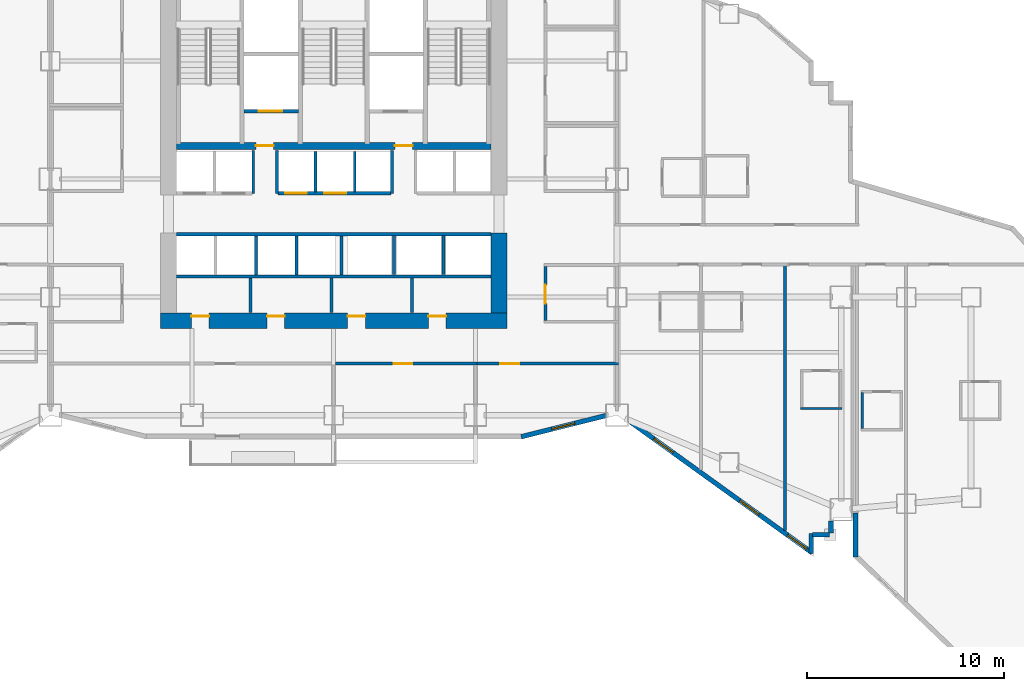
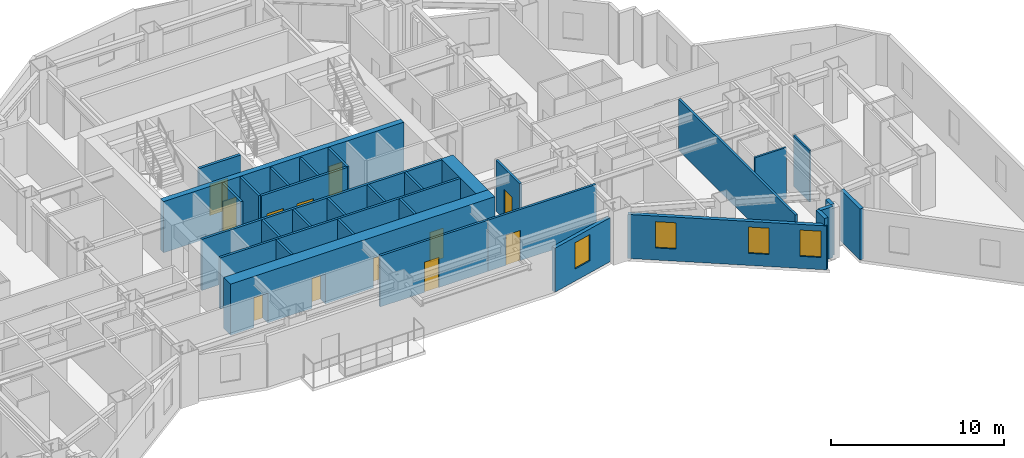
# One storey, part 8 of 17: 32 walls, 12 doors, 4 windows, 16 openings.
"""IFC4 building model written with IfcOpenShell, lengths in metres."""

from ifc_helpers import new_model, si_unit, direction, frame, frame_2d, origin, place, context, subcontext, project, spatial, rectangle, extrude, material, layer, layer_set, type_object, element, fill, save


model = new_model("IFC4")

# Units and contexts
model_context = context("Model", 3, precision=1e-05, world=origin(), true_north=direction((0.0, 1.0)))
body_context = subcontext(model_context, "Body", "Model", "MODEL_VIEW")
ifc_project = project(units=[si_unit("LENGTHUNIT", "METRE"), si_unit("AREAUNIT", "SQUARE_METRE"), si_unit("VOLUMEUNIT", "CUBIC_METRE"), si_unit("PLANEANGLEUNIT", "RADIAN"), si_unit("MASSUNIT", "GRAM", prefix="KILO")], contexts=[model_context])

# Site, building, storey
site_placement = place(None, origin())
site = spatial("IfcSite", under=ifc_project, at=site_placement, CompositionType="ELEMENT")
building_placement = place(site_placement, origin())
building = spatial("IfcBuilding", under=site, at=building_placement, Name="Haolan Belvedere Tower", CompositionType="ELEMENT")
storey_placement = place(building_placement, frame((0.0, 0.0, 55.199951171875)))
storey = spatial("IfcBuildingStorey", under=building, at=storey_placement, Name="L13", CompositionType="ELEMENT", Elevation=55.199951171875)

# Wall, openings, doors
ifc_material_1 = material(Name="Concrete C70/85", Category="concrete")
ifc_layer_1 = layer(ifc_material_1, 0.800048828125, Name="Concrete C70/85")
ifc_layer_set_1 = layer_set([ifc_layer_1], Name="Concrete C70/85")
wall_type_1 = type_object("IfcWallType", Name="WL-CORE-800", PredefinedType="SHEAR", material=ifc_layer_set_1)
wall_1_placement = place(storey_placement, frame((29.60009765625, 26.39990234375, 0.0), z_axis=(0.0, 0.0, 1.0), x_axis=(1.0, 0.0, 0.0)))
wall_1 = element("IfcWall", 1, at=wall_1_placement, inside=storey, type_object=wall_type_1, Name="L13 central core south shear wall", PredefinedType="SHEAR", context=body_context, shape_type="SweptSolid", body=[
    extrude(rectangle(XDim=17.599853515625, YDim=0.800048828125, at=frame_2d((8.7998046875, 0.0))), origin(), (0.0, 0.0, 1.0), 3.60009765625),
])
opening_1_placement = place(wall_1_placement, frame((2.469970703125, 0.0, 0.0), z_axis=(0.0, 0.0, 1.0), x_axis=(-1.0, 0.0, 0.0)))
opening_1 = element("IfcOpeningElement", 2, at=opening_1_placement, cuts=wall_1, Name="Opening FD-05", PredefinedType="OPENING", context=body_context, shape_type="SweptSolid", body=[
    extrude(rectangle(XDim=0.89990234375, YDim=2.10009765625, at=frame_2d((0.449951171875, 1.050048828125))), frame((0.0, 0.409912109375, 0.0), z_axis=(0.0, -1.0, 0.0), x_axis=(1.0, 0.0, 0.0)), (0.0, 0.0, 1.0), 0.820068359375),
])
opening_2_placement = place(wall_1_placement, frame((6.309814453125, 0.0, 0.0), z_axis=(0.0, 0.0, 1.0), x_axis=(-1.0, 0.0, 0.0)))
opening_2 = element("IfcOpeningElement", 3, at=opening_2_placement, cuts=wall_1, Name="Opening FD-05", PredefinedType="OPENING", context=body_context, shape_type="SweptSolid", body=[
    extrude(rectangle(XDim=0.89990234375, YDim=2.10009765625, at=frame_2d((0.449951171875, 1.050048828125))), frame((0.0, 0.409912109375, 0.0), z_axis=(0.0, -1.0, 0.0), x_axis=(1.0, 0.0, 0.0)), (0.0, 0.0, 1.0), 0.820068359375),
])
opening_3_placement = place(wall_1_placement, frame((10.409912109375, 0.0, 0.0), z_axis=(0.0, 0.0, 1.0), x_axis=(-1.0, 0.0, 0.0)))
opening_3 = element("IfcOpeningElement", 4, at=opening_3_placement, cuts=wall_1, Name="Opening FD-05", PredefinedType="OPENING", context=body_context, shape_type="SweptSolid", body=[
    extrude(rectangle(XDim=0.89990234375, YDim=2.10009765625, at=frame_2d((0.449951171875, 1.050048828125))), frame((0.0, 0.409912109375, 0.0), z_axis=(0.0, -1.0, 0.0), x_axis=(1.0, 0.0, 0.0)), (0.0, 0.0, 1.0), 0.820068359375),
])
opening_4_placement = place(wall_1_placement, frame((14.510009765625, 0.0, 0.0), z_axis=(0.0, 0.0, 1.0), x_axis=(-1.0, 0.0, 0.0)))
opening_4 = element("IfcOpeningElement", 5, at=opening_4_placement, cuts=wall_1, Name="Opening FD-05", PredefinedType="OPENING", context=body_context, shape_type="SweptSolid", body=[
    extrude(rectangle(XDim=0.89990234375, YDim=2.10009765625, at=frame_2d((0.449951171875, 1.050048828125))), frame((0.0, 0.409912109375, 0.0), z_axis=(0.0, -1.0, 0.0), x_axis=(1.0, 0.0, 0.0)), (0.0, 0.0, 1.0), 0.820068359375),
])
ifc_material_2 = material(Name="Galvanised fire-rated steel", Category="steel")
door_type_1 = type_object("IfcDoorType", Name="DR-FD60-900", OperationType="NOTDEFINED", PredefinedType="DOOR", material=ifc_material_2)
door_1_placement = place(opening_1_placement, origin())
door_1 = element("IfcDoor", 6, at=door_1_placement, inside=storey, type_object=door_type_1, Name="L13 door CD-L13-SCV-1", OperationType="SINGLE_SWING_LEFT", OverallHeight=2.10009765625, OverallWidth=0.89990234375, PredefinedType="DOOR", context=body_context, shape_type="SweptSolid", body=[
    extrude(rectangle(XDim=0.89990234375, YDim=2.10009765625, at=frame_2d((0.449951171875, 1.050048828125))), frame((0.0, -0.19482421875, 0.0), z_axis=(0.0, -1.0, 0.0), x_axis=(1.0, 0.0, 0.0)), (0.0, 0.0, 1.0), 0.050048828125),
])
fill(opening_1, door_1)
door_2_placement = place(opening_2_placement, origin())
door_2 = element("IfcDoor", 7, at=door_2_placement, inside=storey, type_object=door_type_1, Name="L13 door CD-L13-SCV-2", OperationType="SINGLE_SWING_RIGHT", OverallHeight=2.10009765625, OverallWidth=0.89990234375, PredefinedType="DOOR", context=body_context, shape_type="SweptSolid", body=[
    extrude(rectangle(XDim=0.89990234375, YDim=2.10009765625, at=frame_2d((0.449951171875, 1.050048828125))), frame((0.0, -0.19482421875, 0.0), z_axis=(0.0, -1.0, 0.0), x_axis=(1.0, 0.0, 0.0)), (0.0, 0.0, 1.0), 0.050048828125),
])
fill(opening_2, door_2)
door_3_placement = place(opening_3_placement, origin())
door_3 = element("IfcDoor", 8, at=door_3_placement, inside=storey, type_object=door_type_1, Name="L13 door CD-L13-SCV-3", OperationType="SINGLE_SWING_LEFT", OverallHeight=2.10009765625, OverallWidth=0.89990234375, PredefinedType="DOOR", context=body_context, shape_type="SweptSolid", body=[
    extrude(rectangle(XDim=0.89990234375, YDim=2.10009765625, at=frame_2d((0.449951171875, 1.050048828125))), frame((0.0, -0.19482421875, 0.0), z_axis=(0.0, -1.0, 0.0), x_axis=(1.0, 0.0, 0.0)), (0.0, 0.0, 1.0), 0.050048828125),
])
fill(opening_3, door_3)
door_4_placement = place(opening_4_placement, origin())
door_4 = element("IfcDoor", 9, at=door_4_placement, inside=storey, type_object=door_type_1, Name="L13 door CD-L13-SCV-4", OperationType="SINGLE_SWING_RIGHT", OverallHeight=2.10009765625, OverallWidth=0.89990234375, PredefinedType="DOOR", context=body_context, shape_type="SweptSolid", body=[
    extrude(rectangle(XDim=0.89990234375, YDim=2.10009765625, at=frame_2d((0.449951171875, 1.050048828125))), frame((0.0, -0.19482421875, 0.0), z_axis=(0.0, -1.0, 0.0), x_axis=(1.0, 0.0, 0.0)), (0.0, 0.0, 1.0), 0.050048828125),
])
fill(opening_4, door_4)

# Wall
wall_2_placement = place(storey_placement, frame((46.800048828125, 26.800048828125, 0.0), z_axis=(0.0, 0.0, 1.0), x_axis=(0.0, 1.0, 0.0)))
element("IfcWall", 10, at=wall_2_placement, inside=storey, type_object=wall_type_1, Name="L13 central core shear wall ES", PredefinedType="SHEAR", context=body_context, shape_type="SweptSolid", body=[
    extrude(rectangle(XDim=4.050048828125, YDim=0.800048828125, at=frame_2d((2.02490234375, 0.0))), origin(), (0.0, 0.0, 1.0), 3.60009765625),
])

# Wall, opening, window
ifc_material_3 = material(Name="Precast concrete C40/50", Category="concrete")
ifc_layer_2 = layer(ifc_material_3, 0.239990234375, Name="Precast concrete C40/50")
ifc_layer_set_2 = layer_set([ifc_layer_2], Name="Precast concrete C40/50")
wall_type_2 = type_object("IfcWallType", Name="WL-EXT-240", PredefinedType="SOLIDWALL", material=ifc_layer_set_2)
wall_3_placement = place(storey_placement, frame((47.931884765625, 20.506591796875, 0.0), z_axis=(0.0, 0.0, 1.0), x_axis=(0.970145739396, 0.242522667667, 0.0)))
wall_3 = element("IfcWall", 11, at=wall_3_placement, inside=storey, type_object=wall_type_2, Name="L13 pale-metal exterior spandrel wall 14.1", PredefinedType="SOLIDWALL", context=body_context, shape_type="SweptSolid", body=[
    extrude(rectangle(XDim=4.433349609375, YDim=0.239990234375, at=frame_2d((2.216796875, 0.0))), origin(), (0.0, 0.0, 1.0), 3.09716796875),
])
opening_5_placement = place(wall_3_placement, frame((1.60009765625, 0.0, 0.85009765625)))
opening_5 = element("IfcOpeningElement", 12, at=opening_5_placement, cuts=wall_3, Name="Opening W-01", PredefinedType="OPENING", context=body_context, shape_type="SweptSolid", body=[
    extrude(rectangle(XDim=1.199951171875, YDim=1.85009765625, at=frame_2d((0.60009765625, 0.925048828125))), frame((0.0, 0.1298828125, 0.0), z_axis=(0.0, -1.0, 0.0), x_axis=(1.0, 0.0, 0.0)), (0.0, 0.0, 1.0), 0.260009765625),
])
ifc_material_4 = material(Name="Anodised aluminium 6063-T6 and Low-E glass", Category="aluminium")
window_type = type_object("IfcWindowType", Name="WN-DECO-Z1", PartitioningType="SINGLE_PANEL", PredefinedType="WINDOW", material=ifc_material_4)
window_1_placement = place(opening_5_placement, origin())
window_1 = element("IfcWindow", 13, at=window_1_placement, inside=storey, type_object=window_type, Name="L13 Art Deco chevron window 1", OverallHeight=1.85009765625, OverallWidth=1.199951171875, PartitioningType="SINGLE_PANEL", PredefinedType="WINDOW", context=body_context, shape_type="SweptSolid", body=[
    extrude(rectangle(XDim=1.199951171875, YDim=1.85009765625, at=frame_2d((0.60009765625, 0.925048828125))), frame((0.0, 0.030029296875, 0.0), z_axis=(0.0, -1.0, 0.0), x_axis=(1.0, 0.0, 0.0)), (0.0, 0.0, 1.0), 0.06005859375),
])
fill(opening_5, window_1)

# Wall, openings, windows
wall_4_placement = place(storey_placement, frame((53.366943359375, 21.339599609375, 0.0), z_axis=(0.0, 0.0, 1.0), x_axis=(0.811543176492, -0.58429245476, 0.0)))
wall_4 = element("IfcWall", 14, at=wall_4_placement, inside=storey, type_object=wall_type_2, Name="L13 pale-metal exterior spandrel wall 15.1", PredefinedType="SOLIDWALL", context=body_context, shape_type="SweptSolid", body=[
    extrude(rectangle(XDim=11.53076171875, YDim=0.239990234375, at=frame_2d((5.765380859375, 0.0))), origin(), (0.0, 0.0, 1.0), 3.09716796875),
])
opening_6_placement = place(wall_4_placement, frame((1.60009765625, 0.0, 0.85009765625)))
opening_6 = element("IfcOpeningElement", 15, at=opening_6_placement, cuts=wall_4, Name="Opening W-01", PredefinedType="OPENING", context=body_context, shape_type="SweptSolid", body=[
    extrude(rectangle(XDim=1.199951171875, YDim=1.85009765625, at=frame_2d((0.60009765625, 0.925048828125))), frame((0.0, 0.1298828125, 0.0), z_axis=(0.0, -1.0, 0.0), x_axis=(1.0, 0.0, 0.0)), (0.0, 0.0, 1.0), 0.260009765625),
])
opening_7_placement = place(wall_4_placement, frame((7.0, 0.0, 0.85009765625)))
opening_7 = element("IfcOpeningElement", 16, at=opening_7_placement, cuts=wall_4, Name="Opening W-01", PredefinedType="OPENING", context=body_context, shape_type="SweptSolid", body=[
    extrude(rectangle(XDim=1.199951171875, YDim=1.85009765625, at=frame_2d((0.60009765625, 0.925048828125))), frame((0.0, 0.1298828125, 0.0), z_axis=(0.0, -1.0, 0.0), x_axis=(1.0, 0.0, 0.0)), (0.0, 0.0, 1.0), 0.260009765625),
])
opening_8_placement = place(wall_4_placement, frame((9.989990234375, 0.0, 0.85009765625)))
opening_8 = element("IfcOpeningElement", 17, at=opening_8_placement, cuts=wall_4, Name="Opening W-01", PredefinedType="OPENING", context=body_context, shape_type="SweptSolid", body=[
    extrude(rectangle(XDim=1.199951171875, YDim=1.85009765625, at=frame_2d((0.60009765625, 0.925048828125))), frame((0.0, 0.1298828125, 0.0), z_axis=(0.0, -1.0, 0.0), x_axis=(1.0, 0.0, 0.0)), (0.0, 0.0, 1.0), 0.260009765625),
])
window_2_placement = place(opening_6_placement, origin())
window_2 = element("IfcWindow", 18, at=window_2_placement, inside=storey, type_object=window_type, Name="L13 Art Deco chevron window 1", OverallHeight=1.85009765625, OverallWidth=1.199951171875, PartitioningType="SINGLE_PANEL", PredefinedType="WINDOW", context=body_context, shape_type="SweptSolid", body=[
    extrude(rectangle(XDim=1.199951171875, YDim=1.85009765625, at=frame_2d((0.60009765625, 0.925048828125))), frame((0.0, 0.030029296875, 0.0), z_axis=(0.0, -1.0, 0.0), x_axis=(1.0, 0.0, 0.0)), (0.0, 0.0, 1.0), 0.06005859375),
])
fill(opening_6, window_2)
window_3_placement = place(opening_7_placement, origin())
window_3 = element("IfcWindow", 19, at=window_3_placement, inside=storey, type_object=window_type, Name="L13 Art Deco chevron window 2", OverallHeight=1.85009765625, OverallWidth=1.199951171875, PartitioningType="SINGLE_PANEL", PredefinedType="WINDOW", context=body_context, shape_type="SweptSolid", body=[
    extrude(rectangle(XDim=1.199951171875, YDim=1.85009765625, at=frame_2d((0.60009765625, 0.925048828125))), frame((0.0, 0.030029296875, 0.0), z_axis=(0.0, -1.0, 0.0), x_axis=(1.0, 0.0, 0.0)), (0.0, 0.0, 1.0), 0.06005859375),
])
fill(opening_7, window_3)
window_4_placement = place(opening_8_placement, origin())
window_4 = element("IfcWindow", 20, at=window_4_placement, inside=storey, type_object=window_type, Name="L13 Art Deco guestroom window 2", OverallHeight=1.85009765625, OverallWidth=1.199951171875, PartitioningType="SINGLE_PANEL", PredefinedType="WINDOW", context=body_context, shape_type="SweptSolid", body=[
    extrude(rectangle(XDim=1.199951171875, YDim=1.85009765625, at=frame_2d((0.60009765625, 0.925048828125))), frame((0.0, 0.030029296875, 0.0), z_axis=(0.0, -1.0, 0.0), x_axis=(1.0, 0.0, 0.0)), (0.0, 0.0, 1.0), 0.06005859375),
])
fill(opening_8, window_4)

# Walls
wall_5_placement = place(storey_placement, frame((62.679931640625, 14.579345703125, 0.0), z_axis=(0.0, 0.0, 1.0), x_axis=(0.0, 1.0, 0.0)))
element("IfcWall", 21, at=wall_5_placement, inside=storey, type_object=wall_type_2, Name="L13 pale-metal exterior spandrel wall 16.1", PredefinedType="SOLIDWALL", context=body_context, shape_type="SweptSolid", body=[
    extrude(rectangle(XDim=0.99560546875, YDim=0.239990234375, at=frame_2d((0.497802734375, 0.0))), origin(), (0.0, 0.0, 1.0), 3.60009765625),
])
wall_6_placement = place(storey_placement, frame((62.7451171875, 15.52001953125, 0.0), z_axis=(0.0, 0.0, 1.0), x_axis=(1.0, 0.0, 0.0)))
element("IfcWall", 22, at=wall_6_placement, inside=storey, type_object=wall_type_2, Name="L13 pale-metal exterior spandrel wall 17.1", PredefinedType="SOLIDWALL", context=body_context, shape_type="SweptSolid", body=[
    extrude(rectangle(XDim=0.849853515625, YDim=0.239990234375, at=frame_2d((0.4248046875, 0.0))), origin(), (0.0, 0.0, 1.0), 3.60009765625),
])
wall_7_placement = place(storey_placement, frame((63.679931640625, 15.60498046875, 0.0), z_axis=(0.0, 0.0, 1.0), x_axis=(0.0, 1.0, 0.0)))
element("IfcWall", 23, at=wall_7_placement, inside=storey, type_object=wall_type_2, Name="L13 pale-metal exterior spandrel wall 18.1", PredefinedType="SOLIDWALL", context=body_context, shape_type="SweptSolid", body=[
    extrude(rectangle(XDim=0.6279296875, YDim=0.239990234375, at=frame_2d((0.31396484375, 0.0))), origin(), (0.0, 0.0, 1.0), 3.60009765625),
])
wall_8_placement = place(storey_placement, frame((64.919921875, 16.639892578125, 0.0), z_axis=(0.0, 0.0, 1.0), x_axis=(0.0, -1.0, 0.0)))
element("IfcWall", 24, at=wall_8_placement, inside=storey, type_object=wall_type_2, Name="L13 pale-metal exterior spandrel wall 20.1", PredefinedType="SOLIDWALL", context=body_context, shape_type="SweptSolid", body=[
    extrude(rectangle(XDim=2.24365234375, YDim=0.239990234375, at=frame_2d((1.121826171875, 0.0))), origin(), (0.0, 0.0, 1.0), 3.60009765625),
])
ifc_material_5 = material(Name="Double gypsum acoustic stud partition", Category="masonry")
ifc_layer_3 = layer(ifc_material_5, 0.14990234375, Name="Double gypsum acoustic stud partition")
ifc_layer_set_3 = layer_set([ifc_layer_3], Name="Double gypsum acoustic stud partition")
wall_type_3 = type_object("IfcWallType", Name="WL-PART-150", PredefinedType="PARTITIONING", material=ifc_layer_set_3)
wall_9_placement = place(storey_placement, frame((30.39990234375, 28.659912109375, 0.0), z_axis=(0.0, 0.0, 1.0), x_axis=(1.0, 0.0, 0.0)))
element("IfcWall", 25, at=wall_9_placement, inside=storey, type_object=wall_type_3, Name="L13 interior partition IW-L13-SSTRIP-N", PredefinedType="PARTITIONING", context=body_context, shape_type="SweptSolid", body=[
    extrude(rectangle(XDim=16.0, YDim=0.14990234375, at=frame_2d((8.0, 0.0))), origin(), (0.0, 0.0, 1.0), 3.60009765625),
])
for number, where, z_axis, x_axis, name in (
    (26, (34.179931640625, 26.81005859375, 0.0), (0.0, 0.0, 1.0), (0.0, 1.0, 0.0), "L13 interior partition IW-L13-SCV-DIV-1"),
    (27, (38.280029296875, 26.81005859375, 0.0), (0.0, 0.0, 1.0), (0.0, 1.0, 0.0), "L13 interior partition IW-L13-SCV-DIV-2"),
    (28, (42.3798828125, 26.81005859375, 0.0), (0.0, 0.0, 1.0), (0.0, 1.0, 0.0), "L13 interior partition IW-L13-SCV-DIV-3"),
):
    element("IfcWall", number, at=place(storey_placement, frame(where, z_axis=z_axis, x_axis=x_axis)), inside=storey, type_object=wall_type_3, Name=name, PredefinedType="PARTITIONING", context=body_context, shape_type="SweptSolid", body=[
        extrude(rectangle(XDim=1.77001953125, YDim=0.14990234375, at=frame_2d((0.885009765625, 0.0))), origin(), (0.0, 0.0, 1.0), 3.60009765625),
    ])

# Wall, opening, door
wall_10_placement = place(storey_placement, frame((49.159912109375, 26.409912109375, 0.0), z_axis=(0.0, 0.0, 1.0), x_axis=(0.0, 1.0, 0.0)))
wall_10 = element("IfcWall", 29, at=wall_10_placement, inside=storey, type_object=wall_type_3, Name="L13 interior partition IW-L13-PKTE-W", PredefinedType="PARTITIONING", context=body_context, shape_type="SweptSolid", body=[
    extrude(rectangle(XDim=2.760009765625, YDim=0.14990234375, at=frame_2d((1.3798828125, 0.0))), origin(), (0.0, 0.0, 1.0), 3.60009765625),
])
opening_9_placement = place(wall_10_placement, frame((0.860107421875, 0.0, 0.0)))
opening_9 = element("IfcOpeningElement", 30, at=opening_9_placement, cuts=wall_10, Name="Opening ID-03", PredefinedType="OPENING", context=body_context, shape_type="SweptSolid", body=[
    extrude(rectangle(XDim=0.949951171875, YDim=2.1201171875, at=frame_2d((0.47509765625, 1.06005859375))), frame((0.0, 0.0849609375, 0.0), z_axis=(0.0, -1.0, 0.0), x_axis=(1.0, 0.0, 0.0)), (0.0, 0.0, 1.0), 0.169921875),
])
ifc_material_6 = material(Name="Painted solid-core timber", Category="wood")
door_type_2 = type_object("IfcDoorType", Name="DR-INT-950", OperationType="NOTDEFINED", PredefinedType="DOOR", material=ifc_material_6)
door_5_placement = place(opening_9_placement, origin())
door_5 = element("IfcDoor", 31, at=door_5_placement, inside=storey, type_object=door_type_2, Name="L13 door ID-L13-PKTE", OperationType="SINGLE_SWING_RIGHT", OverallHeight=2.1201171875, OverallWidth=0.949951171875, PredefinedType="DOOR", context=body_context, shape_type="SweptSolid", body=[
    extrude(rectangle(XDim=0.949951171875, YDim=2.1201171875, at=frame_2d((0.47509765625, 1.06005859375))), frame((0.0, 0.02490234375, 0.0), z_axis=(0.0, -1.0, 0.0), x_axis=(1.0, 0.0, 0.0)), (0.0, 0.0, 1.0), 0.050048828125),
])
fill(opening_9, door_5)

wall_11_placement = place(storey_placement, frame((38.48193359375, 24.219970703125, 0.0), z_axis=(0.0, 0.0, 1.0), x_axis=(1.0, 0.0, 0.0)))
wall_11 = element("IfcWall", 32, at=wall_11_placement, inside=storey, type_object=wall_type_3, Name="L13 interior partition IW-L13-KS2-N", PredefinedType="PARTITIONING", context=body_context, shape_type="SweptSolid", body=[
    extrude(rectangle(XDim=7.197998046875, YDim=0.14990234375, at=frame_2d((3.59912109375, 0.0))), origin(), (0.0, 0.0, 1.0), 3.60009765625),
])
opening_10_placement = place(wall_11_placement, frame((3.912841796875, 0.0, 0.0), z_axis=(0.0, 0.0, 1.0), x_axis=(-1.0, 0.0, 0.0)))
opening_10 = element("IfcOpeningElement", 33, at=opening_10_placement, cuts=wall_11, Name="Opening ID-03", PredefinedType="OPENING", context=body_context, shape_type="SweptSolid", body=[
    extrude(rectangle(XDim=0.949951171875, YDim=2.1201171875, at=frame_2d((0.47509765625, 1.06005859375))), frame((0.0, 0.0849609375, 0.0), z_axis=(0.0, -1.0, 0.0), x_axis=(1.0, 0.0, 0.0)), (0.0, 0.0, 1.0), 0.169921875),
])
door_6_placement = place(opening_10_placement, origin())
door_6 = element("IfcDoor", 34, at=door_6_placement, inside=storey, type_object=door_type_2, Name="L13 door ID-L13-KS2", OperationType="SINGLE_SWING_RIGHT", OverallHeight=2.1201171875, OverallWidth=0.949951171875, PredefinedType="DOOR", context=body_context, shape_type="SweptSolid", body=[
    extrude(rectangle(XDim=0.949951171875, YDim=2.1201171875, at=frame_2d((0.47509765625, 1.06005859375))), frame((0.0, 0.02490234375, 0.0), z_axis=(0.0, -1.0, 0.0), x_axis=(1.0, 0.0, 0.0)), (0.0, 0.0, 1.0), 0.050048828125),
])
fill(opening_10, door_6)

wall_12_placement = place(storey_placement, frame((45.681884765625, 24.219970703125, 0.0), z_axis=(0.0, 0.0, 1.0), x_axis=(1.0, 0.0, 0.0)))
wall_12 = element("IfcWall", 35, at=wall_12_placement, inside=storey, type_object=wall_type_3, Name="L13 interior partition IW-L13-KS3-N", PredefinedType="PARTITIONING", context=body_context, shape_type="SweptSolid", body=[
    extrude(rectangle(XDim=7.197998046875, YDim=0.14990234375, at=frame_2d((3.59912109375, 0.0))), origin(), (0.0, 0.0, 1.0), 3.60009765625),
])
opening_11_placement = place(wall_12_placement, frame((2.14306640625, 0.0, 0.0), z_axis=(0.0, 0.0, 1.0), x_axis=(-1.0, 0.0, 0.0)))
opening_11 = element("IfcOpeningElement", 36, at=opening_11_placement, cuts=wall_12, Name="Opening ID-03", PredefinedType="OPENING", context=body_context, shape_type="SweptSolid", body=[
    extrude(rectangle(XDim=0.949951171875, YDim=2.1201171875, at=frame_2d((0.47509765625, 1.06005859375))), frame((0.0, 0.0849609375, 0.0), z_axis=(0.0, -1.0, 0.0), x_axis=(1.0, 0.0, 0.0)), (0.0, 0.0, 1.0), 0.169921875),
])
door_7_placement = place(opening_11_placement, origin())
door_7 = element("IfcDoor", 37, at=door_7_placement, inside=storey, type_object=door_type_2, Name="L13 door ID-L13-KS3", OperationType="SINGLE_SWING_LEFT", OverallHeight=2.1201171875, OverallWidth=0.949951171875, PredefinedType="DOOR", context=body_context, shape_type="SweptSolid", body=[
    extrude(rectangle(XDim=0.949951171875, YDim=2.1201171875, at=frame_2d((0.47509765625, 1.06005859375))), frame((0.0, 0.02490234375, 0.0), z_axis=(0.0, -1.0, 0.0), x_axis=(1.0, 0.0, 0.0)), (0.0, 0.0, 1.0), 0.050048828125),
])
fill(opening_11, door_7)

# Walls
wall_13_placement = place(storey_placement, frame((61.340087890625, 15.728515625, 0.0), z_axis=(0.0, 0.0, 1.0), x_axis=(0.0, 1.0, 0.0)))
element("IfcWall", 38, at=wall_13_placement, inside=storey, type_object=wall_type_3, Name="L13 interior partition IW-L13-T4S2-E", PredefinedType="PARTITIONING", context=body_context, shape_type="SweptSolid", body=[
    extrude(rectangle(XDim=13.4814453125, YDim=0.14990234375, at=frame_2d((6.74072265625, 0.0))), origin(), (0.0, 0.0, 1.0), 3.60009765625),
])
ifc_material_7 = material(Name="Gypsum fire shaftwall assembly", Category="masonry")
ifc_layer_4 = layer(ifc_material_7, 0.1650390625, Name="Gypsum fire shaftwall assembly")
ifc_layer_set_4 = layer_set([ifc_layer_4], Name="Gypsum fire shaftwall assembly")
wall_type_4 = type_object("IfcWallType", Name="WL-SHAFT-160", PredefinedType="SOLIDWALL", material=ifc_layer_set_4)
for number, where, z_axis, x_axis, name in (
    (39, (34.31005859375, 32.8798828125, 0.0), (0.0, 0.0, 1.0), (0.0, 1.0, 0.0), "L13 interior partition IW-L13-SVP-W-SV1"),
    (40, (35.510009765625, 32.8798828125, 0.0), (0.0, 0.0, 1.0), (0.0, 1.0, 0.0), "L13 interior partition IW-L13-SVP-E-SV1"),
    (41, (41.3701171875, 32.8798828125, 0.0), (0.0, 0.0, 1.0), (0.0, 1.0, 0.0), "L13 interior partition IW-L13-SVP-W-SV2"),
):
    element("IfcWall", number, at=place(storey_placement, frame(where, z_axis=z_axis, x_axis=x_axis)), inside=storey, type_object=wall_type_4, Name=name, PredefinedType="SOLIDWALL", context=body_context, shape_type="SweptSolid", body=[
        extrude(rectangle(XDim=2.170166015625, YDim=0.14990234375, at=frame_2d((1.0849609375, 0.0))), origin(), (0.0, 0.0, 1.0), 3.60009765625),
    ])

# Wall, openings, doors
wall_14_placement = place(storey_placement, frame((35.570068359375, 32.8798828125, 0.0), z_axis=(0.0, 0.0, 1.0), x_axis=(1.0, 0.0, 0.0)))
wall_14 = element("IfcWall", 42, at=wall_14_placement, inside=storey, type_object=wall_type_4, Name="L13 interior partition IW-L13-ROW-PN2", PredefinedType="SOLIDWALL", context=body_context, shape_type="SweptSolid", body=[
    extrude(rectangle(XDim=5.739990234375, YDim=0.159912109375, at=frame_2d((2.8701171875, 0.0))), origin(), (0.0, 0.0, 1.0), 3.60009765625),
])
opening_12_placement = place(wall_14_placement, frame((1.47021484375, 0.0, 0.0), z_axis=(0.0, 0.0, 1.0), x_axis=(-1.0, 0.0, 0.0)))
opening_12 = element("IfcOpeningElement", 43, at=opening_12_placement, cuts=wall_14, Name="Opening LD-01", PredefinedType="OPENING", context=body_context, shape_type="SweptSolid", body=[
    extrude(rectangle(XDim=1.10009765625, YDim=2.199951171875, at=frame_2d((0.550048828125, 1.10009765625))), frame((0.0, 0.08984375, 0.0), z_axis=(0.0, -1.0, 0.0), x_axis=(1.0, 0.0, 0.0)), (0.0, 0.0, 1.0), 0.179931640625),
])
opening_13_placement = place(wall_14_placement, frame((3.460205078125, 0.0, 0.0), z_axis=(0.0, 0.0, 1.0), x_axis=(-1.0, 0.0, 0.0)))
opening_13 = element("IfcOpeningElement", 44, at=opening_13_placement, cuts=wall_14, Name="Opening LD-01", PredefinedType="OPENING", context=body_context, shape_type="SweptSolid", body=[
    extrude(rectangle(XDim=1.10009765625, YDim=2.199951171875, at=frame_2d((0.550048828125, 1.10009765625))), frame((0.0, 0.08984375, 0.0), z_axis=(0.0, -1.0, 0.0), x_axis=(1.0, 0.0, 0.0)), (0.0, 0.0, 1.0), 0.179931640625),
])
ifc_material_8 = material(Name="Brushed champagne stainless steel 316L", Category="steel")
door_type_3 = type_object("IfcDoorType", Name="DR-LIFT-1100", OperationType="SLIDING_TO_LEFT", PredefinedType="DOOR", material=ifc_material_8)
door_8_placement = place(opening_12_placement, origin())
door_8 = element("IfcDoor", 45, at=door_8_placement, inside=storey, type_object=door_type_3, Name="L13 door ID-L13-LD-PL3", OperationType="SLIDING_TO_LEFT", OverallHeight=2.199951171875, OverallWidth=1.10009765625, PredefinedType="DOOR", context=body_context, shape_type="SweptSolid", body=[
    extrude(rectangle(XDim=1.10009765625, YDim=2.199951171875, at=frame_2d((0.550048828125, 1.10009765625))), frame((0.0, 0.02490234375, 0.0), z_axis=(0.0, -1.0, 0.0), x_axis=(1.0, 0.0, 0.0)), (0.0, 0.0, 1.0), 0.050048828125),
])
fill(opening_12, door_8)
door_9_placement = place(opening_13_placement, origin())
door_9 = element("IfcDoor", 46, at=door_9_placement, inside=storey, type_object=door_type_3, Name="L13 door ID-L13-LD-PL4", OperationType="SLIDING_TO_LEFT", OverallHeight=2.199951171875, OverallWidth=1.10009765625, PredefinedType="DOOR", context=body_context, shape_type="SweptSolid", body=[
    extrude(rectangle(XDim=1.10009765625, YDim=2.199951171875, at=frame_2d((0.550048828125, 1.10009765625))), frame((0.0, 0.02490234375, 0.0), z_axis=(0.0, -1.0, 0.0), x_axis=(1.0, 0.0, 0.0)), (0.0, 0.0, 1.0), 0.050048828125),
])
fill(opening_13, door_9)

# Walls
for number, where, z_axis, x_axis, name in (
    (47, (37.47998046875, 32.949951171875, 0.0), (0.0, 0.0, 1.0), (0.0, 1.0, 0.0), "L13 interior partition IW-L13-DIV-PL3"),
    (48, (39.469970703125, 32.949951171875, 0.0), (0.0, 0.0, 1.0), (0.0, 1.0, 0.0), "L13 interior partition IW-L13-DIV-PL4"),
):
    element("IfcWall", number, at=place(storey_placement, frame(where, z_axis=z_axis, x_axis=x_axis)), inside=storey, type_object=wall_type_4, Name=name, PredefinedType="SOLIDWALL", context=body_context, shape_type="SweptSolid", body=[
        extrude(rectangle(XDim=2.050048828125, YDim=0.14990234375, at=frame_2d((1.02490234375, 0.0))), origin(), (0.0, 0.0, 1.0), 3.60009765625),
    ])
wall_15_placement = place(storey_placement, frame((30.39990234375, 30.800048828125, 0.0), z_axis=(0.0, 0.0, 1.0), x_axis=(1.0, 0.0, 0.0)))
element("IfcWall", 49, at=wall_15_placement, inside=storey, type_object=wall_type_4, Name="L13 interior partition IW-L13-ROW-PS", PredefinedType="SOLIDWALL", context=body_context, shape_type="SweptSolid", body=[
    extrude(rectangle(XDim=16.0, YDim=0.159912109375, at=frame_2d((8.0, 0.0))), origin(), (0.0, 0.0, 1.0), 3.60009765625),
])
for number, where, z_axis, x_axis, name in (
    (50, (34.4599609375, 28.735107421875, 0.0), (0.0, 0.0, 1.0), (0.0, 1.0, 0.0), "L13 interior partition IW-L13-DIV-PM2"),
    (51, (36.52001953125, 28.735107421875, 0.0), (0.0, 0.0, 1.0), (0.0, 1.0, 0.0), "L13 interior partition IW-L13-DIV-PM3"),
    (52, (38.800048828125, 28.735107421875, 0.0), (0.0, 0.0, 1.0), (0.0, 1.0, 0.0), "L13 interior partition IW-L13-DIV-PM4"),
):
    element("IfcWall", number, at=place(storey_placement, frame(where, z_axis=z_axis, x_axis=x_axis)), inside=storey, type_object=wall_type_4, Name=name, PredefinedType="SOLIDWALL", context=body_context, shape_type="SweptSolid", body=[
        extrude(rectangle(XDim=1.98486328125, YDim=0.14990234375, at=frame_2d((0.992431640625, 0.0))), origin(), (0.0, 0.0, 1.0), 3.60009765625),
    ])
for number, where, z_axis, x_axis, name in (
    (53, (41.469970703125, 28.75, 0.0), (0.0, 0.0, 1.0), (0.0, 1.0, 0.0), "L13 interior partition IW-L13-DIV-OB1"),
    (54, (43.97998046875, 28.75, 0.0), (0.0, 0.0, 1.0), (0.0, 1.0, 0.0), "L13 interior partition IW-L13-DIV-OB2"),
):
    element("IfcWall", number, at=place(storey_placement, frame(where, z_axis=z_axis, x_axis=x_axis)), inside=storey, type_object=wall_type_4, Name=name, PredefinedType="SOLIDWALL", context=body_context, shape_type="SweptSolid", body=[
        extrude(rectangle(XDim=1.985107421875, YDim=0.14990234375, at=frame_2d((0.99267578125, 0.0))), origin(), (0.0, 0.0, 1.0), 3.60009765625),
    ])

# Wall, opening, door
ifc_layer_5 = layer(ifc_material_3, 0.179931640625, Name="Precast concrete C40/50")
ifc_layer_set_5 = layer_set([ifc_layer_5], Name="Precast concrete C40/50")
wall_type_5 = type_object("IfcWallType", Name="WL-SHAFT-180", PredefinedType="SOLIDWALL", material=ifc_layer_set_5)
wall_16_placement = place(storey_placement, frame((33.8349609375, 37.050048828125, 0.0), z_axis=(0.0, 0.0, 1.0), x_axis=(1.0, 0.0, 0.0)))
wall_16 = element("IfcWall", 55, at=wall_16_placement, inside=storey, type_object=wall_type_5, Name="L13 interior partition IW-L13-SV1-S", PredefinedType="SOLIDWALL", context=body_context, shape_type="SweptSolid", body=[
    extrude(rectangle(XDim=2.77001953125, YDim=0.179931640625, at=frame_2d((1.385009765625, 0.0))), origin(), (0.0, 0.0, 1.0), 3.60009765625),
])
opening_14_placement = place(wall_16_placement, frame((1.945068359375, 0.0, 0.0), z_axis=(0.0, 0.0, 1.0), x_axis=(-1.0, 0.0, 0.0)))
opening_14 = element("IfcOpeningElement", 56, at=opening_14_placement, cuts=wall_16, Name="Opening LD-02", PredefinedType="OPENING", context=body_context, shape_type="SweptSolid", body=[
    extrude(rectangle(XDim=1.199951171875, YDim=2.199951171875, at=frame_2d((0.60009765625, 1.10009765625))), frame((0.0, 0.099853515625, 0.0), z_axis=(0.0, -1.0, 0.0), x_axis=(1.0, 0.0, 0.0)), (0.0, 0.0, 1.0), 0.199951171875),
])
door_type_4 = type_object("IfcDoorType", Name="DR-LIFT-1200", OperationType="SLIDING_TO_RIGHT", PredefinedType="DOOR", material=ifc_material_8)
door_10_placement = place(opening_14_placement, origin())
door_10 = element("IfcDoor", 57, at=door_10_placement, inside=storey, type_object=door_type_4, Name="L13 door ID-L13-LD-SV1", OperationType="SLIDING_TO_RIGHT", OverallHeight=2.199951171875, OverallWidth=1.199951171875, PredefinedType="DOOR", context=body_context, shape_type="SweptSolid", body=[
    extrude(rectangle(XDim=1.199951171875, YDim=2.199951171875, at=frame_2d((0.60009765625, 1.10009765625))), frame((0.0, 0.02490234375, 0.0), z_axis=(0.0, -1.0, 0.0), x_axis=(1.0, 0.0, 0.0)), (0.0, 0.0, 1.0), 0.050048828125),
])
fill(opening_14, door_10)

# Wall, openings, doors
ifc_material_9 = material(Name="Concrete C60/75", Category="concrete")
ifc_layer_6 = layer(ifc_material_9, 0.360107421875, Name="Concrete C60/75")
ifc_layer_set_6 = layer_set([ifc_layer_6], Name="Concrete C60/75")
wall_type_6 = type_object("IfcWallType", Name="WL-WEB-350", PredefinedType="SHEAR", material=ifc_layer_set_6)
wall_17_placement = place(storey_placement, frame((30.39990234375, 35.2900390625, 0.0), z_axis=(0.0, 0.0, 1.0), x_axis=(1.0, 0.0, 0.0)))
wall_17 = element("IfcWall", 58, at=wall_17_placement, inside=storey, type_object=wall_type_6, Name="L13 central core internal shear web", PredefinedType="SHEAR", context=body_context, shape_type="SweptSolid", body=[
    extrude(rectangle(XDim=16.0, YDim=0.360107421875, at=frame_2d((8.0, 0.0))), origin(), (0.0, 0.0, 1.0), 3.60009765625),
])
opening_15_placement = place(wall_17_placement, frame((4.949951171875, 0.0, 0.0), z_axis=(0.0, 0.0, 1.0), x_axis=(-1.0, 0.0, 0.0)))
opening_15 = element("IfcOpeningElement", 59, at=opening_15_placement, cuts=wall_17, Name="Opening FD-05", PredefinedType="OPENING", context=body_context, shape_type="SweptSolid", body=[
    extrude(rectangle(XDim=0.89990234375, YDim=2.10009765625, at=frame_2d((0.449951171875, 1.050048828125))), frame((0.0, 0.18994140625, 0.0), z_axis=(0.0, -1.0, 0.0), x_axis=(1.0, 0.0, 0.0)), (0.0, 0.0, 1.0), 0.380126953125),
])
opening_16_placement = place(wall_17_placement, frame((12.010009765625, 0.0, 0.0), z_axis=(0.0, 0.0, 1.0), x_axis=(-1.0, 0.0, 0.0)))
opening_16 = element("IfcOpeningElement", 60, at=opening_16_placement, cuts=wall_17, Name="Opening FD-05", PredefinedType="OPENING", context=body_context, shape_type="SweptSolid", body=[
    extrude(rectangle(XDim=0.89990234375, YDim=2.10009765625, at=frame_2d((0.449951171875, 1.050048828125))), frame((0.0, 0.18994140625, 0.0), z_axis=(0.0, -1.0, 0.0), x_axis=(1.0, 0.0, 0.0)), (0.0, 0.0, 1.0), 0.380126953125),
])
door_11_placement = place(opening_15_placement, origin())
door_11 = element("IfcDoor", 61, at=door_11_placement, inside=storey, type_object=door_type_1, Name="L13 door CD-L13-SVL-SV1", OperationType="SINGLE_SWING_RIGHT", OverallHeight=2.10009765625, OverallWidth=0.89990234375, PredefinedType="DOOR", context=body_context, shape_type="SweptSolid", body=[
    extrude(rectangle(XDim=0.89990234375, YDim=2.10009765625, at=frame_2d((0.449951171875, 1.050048828125))), frame((0.0, 0.02490234375, 0.0), z_axis=(0.0, -1.0, 0.0), x_axis=(1.0, 0.0, 0.0)), (0.0, 0.0, 1.0), 0.050048828125),
])
fill(opening_15, door_11)
door_12_placement = place(opening_16_placement, origin())
door_12 = element("IfcDoor", 62, at=door_12_placement, inside=storey, type_object=door_type_1, Name="L13 door CD-L13-SVL-SV2", OperationType="SINGLE_SWING_RIGHT", OverallHeight=2.10009765625, OverallWidth=0.89990234375, PredefinedType="DOOR", context=body_context, shape_type="SweptSolid", body=[
    extrude(rectangle(XDim=0.89990234375, YDim=2.10009765625, at=frame_2d((0.449951171875, 1.050048828125))), frame((0.0, 0.02490234375, 0.0), z_axis=(0.0, -1.0, 0.0), x_axis=(1.0, 0.0, 0.0)), (0.0, 0.0, 1.0), 0.050048828125),
])
fill(opening_16, door_12)

# Walls
ifc_material_10 = material(Name="Moisture-resistant gypsum tile partition", Category="masonry")
ifc_layer_7 = layer(ifc_material_10, 0.1201171875, Name="Moisture-resistant gypsum tile partition")
ifc_layer_set_7 = layer_set([ifc_layer_7], Name="Moisture-resistant gypsum tile partition")
wall_type_7 = type_object("IfcWallType", Name="WL-WET-120", PredefinedType="PARTITIONING", material=ifc_layer_set_7)
wall_18_placement = place(storey_placement, frame((62.1279296875, 21.93994140625, 0.0), z_axis=(0.0, 0.0, 1.0), x_axis=(1.0, 0.0, 0.0)))
element("IfcWall", 63, at=wall_18_placement, inside=storey, type_object=wall_type_7, Name="L13 interior partition IW-L13-T4S3-BS", PredefinedType="PARTITIONING", context=body_context, shape_type="SweptSolid", body=[
    extrude(rectangle(XDim=2.10009765625, YDim=0.1201171875, at=frame_2d((1.050048828125, 0.0))), origin(), (0.0, 0.0, 1.0), 3.60009765625),
])
wall_19_placement = place(storey_placement, frame((65.26708984375, 20.9140625, 0.0), z_axis=(0.0, 0.0, 1.0), x_axis=(0.0, 1.0, 0.0)))
element("IfcWall", 64, at=wall_19_placement, inside=storey, type_object=wall_type_7, Name="L13 interior partition IW-L13-T5S1-BW", PredefinedType="PARTITIONING", context=body_context, shape_type="SweptSolid", body=[
    extrude(rectangle(XDim=1.829833984375, YDim=0.1201171875, at=frame_2d((0.9150390625, 0.0))), origin(), (0.0, 0.0, 1.0), 3.60009765625),
])

save(model, "model.ifc")
